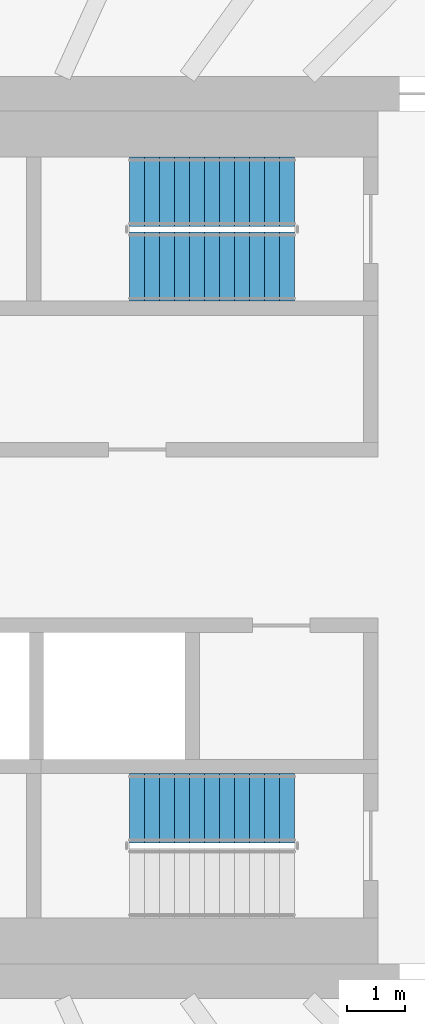
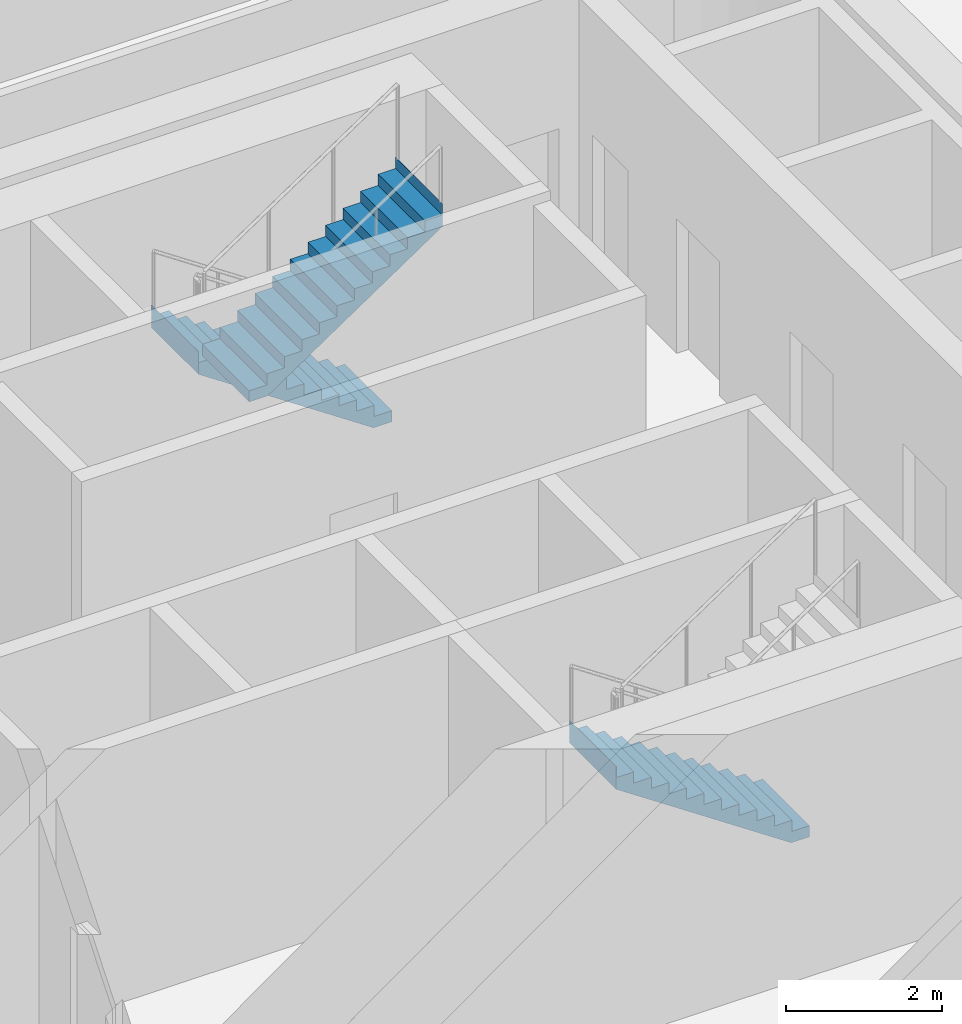
# One storey, part 19 of 25: 3 stair flights, 2 elements without a shape of their own.
"""IFC4 building model written with IfcOpenShell, lengths in metres."""

from ifc_helpers import new_model, si_unit, direction, frame, origin, place, context, subcontext, project, spatial, triangles, material, type_object, element, aggregate, save


model = new_model("IFC4")

# Units and contexts
model_context = context("Model", 3, precision=1e-05, world=origin(), true_north=direction((0.0, 1.0)))
body_context = subcontext(model_context, "Body", "Model", "MODEL_VIEW")
ifc_project = project(units=[si_unit("LENGTHUNIT", "METRE"), si_unit("AREAUNIT", "SQUARE_METRE"), si_unit("VOLUMEUNIT", "CUBIC_METRE"), si_unit("PLANEANGLEUNIT", "RADIAN"), si_unit("MASSUNIT", "GRAM", prefix="KILO")], contexts=[model_context])

# Site, building, storey
site_placement = place(None, origin())
site = spatial("IfcSite", under=ifc_project, at=site_placement, CompositionType="ELEMENT")
building_placement = place(site_placement, origin())
building = spatial("IfcBuilding", under=site, at=building_placement, Name="Sahrelin Media Tower", CompositionType="ELEMENT")
storey_placement = place(building_placement, frame((0.0, 0.0, 135.60009765625)))
storey = spatial("IfcBuildingStorey", under=building, at=storey_placement, Name="L27", CompositionType="ELEMENT", Elevation=135.60009765625)

# Stair, stair flights
ifc_material = material(Name="Concrete C40/50", Category="concrete")
stair_type = type_object("IfcStairType", Name="Exit stair 1200", PredefinedType="HALF_TURN_STAIR", material=ifc_material)
placement = place(storey_placement, origin())
stair_1 = element("IfcStair", 1, at=placement, inside=storey, type_object=stair_type, Name="L27 Exit stair ST3", PredefinedType="HALF_TURN_STAIR")
stair_flight_type = type_object("IfcStairFlightType", Name="Stair flight 1200", PredefinedType="STRAIGHT", material=ifc_material)
stair_flight_1_placement = place(storey_placement, frame((7.675048828125, 6.0, 0.0), z_axis=(0.0, 0.0, 1.0), x_axis=(-1.0, 0.0, 0.0)))
stair_flight_1 = element("IfcStairFlight", 2, at=stair_flight_1_placement, type_object=stair_flight_type, Name="ST3 flight 1", NumberOfRisers=12, NumberOfTreads=11, PredefinedType="STRAIGHT", RiserHeight=0.175, TreadLength=0.26, context=body_context, shape_type="Tessellation", body=[
    triangles([(0.2685546875, 0.60009765625, 0.0), (0.2685546875, 0.300048828125, 0.0), (0.2685546875, 0.0, 0.0), (0.2685546875, -0.300048828125, 0.0), (0.2685546875, -0.60009765625, 0.0), (2.860107421875, 0.60009765625, 1.744384765625), (2.860107421875, 0.300048828125, 1.744384765625), (2.860107421875, 0.0, 1.744384765625), (2.860107421875, -0.300048828125, 1.744384765625), (2.860107421875, -0.60009765625, 1.744384765625), (2.860107421875, 0.60009765625, 2.10009765625), (2.860107421875, 0.300048828125, 2.10009765625), (2.860107421875, 0.0, 2.10009765625), (2.860107421875, -0.300048828125, 2.10009765625), (2.860107421875, -0.60009765625, 2.10009765625), (2.85791015625, 0.60009765625, 2.10009765625), (2.85791015625, 0.300048828125, 2.10009765625), (2.85791015625, 0.0, 2.10009765625), (2.85791015625, -0.300048828125, 2.10009765625), (2.85791015625, -0.60009765625, 2.10009765625), (2.85791015625, 0.60009765625, 1.925048828125), (2.85791015625, 0.300048828125, 1.925048828125), (2.85791015625, 0.0, 1.925048828125), (2.85791015625, -0.300048828125, 1.925048828125), (2.85791015625, -0.60009765625, 1.925048828125), (2.60009765625, 0.60009765625, 1.925048828125), (2.60009765625, 0.300048828125, 1.925048828125), (2.60009765625, 0.0, 1.925048828125), (2.60009765625, -0.300048828125, 1.925048828125), (2.60009765625, -0.60009765625, 1.925048828125), (2.60009765625, 0.60009765625, 1.75), (2.60009765625, 0.300048828125, 1.75), (2.60009765625, 0.0, 1.75), (2.60009765625, -0.300048828125, 1.75), (2.60009765625, -0.60009765625, 1.75), (2.340087890625, 0.60009765625, 1.75), (2.340087890625, 0.300048828125, 1.75), (2.340087890625, 0.0, 1.75), (2.340087890625, -0.300048828125, 1.75), (2.340087890625, -0.60009765625, 1.75), (2.340087890625, 0.60009765625, 1.574951171875), (2.340087890625, 0.300048828125, 1.574951171875), (2.340087890625, 0.0, 1.574951171875), (2.340087890625, -0.300048828125, 1.574951171875), (2.340087890625, -0.60009765625, 1.574951171875), (2.080078125, 0.60009765625, 1.574951171875), (2.080078125, 0.300048828125, 1.574951171875), (2.080078125, 0.0, 1.574951171875), (2.080078125, -0.300048828125, 1.574951171875), (2.080078125, -0.60009765625, 1.574951171875), (2.080078125, 0.60009765625, 1.39990234375), (2.080078125, 0.300048828125, 1.39990234375), (2.080078125, 0.0, 1.39990234375), (2.080078125, -0.300048828125, 1.39990234375), (2.080078125, -0.60009765625, 1.39990234375), (1.820068359375, 0.60009765625, 1.39990234375), (1.820068359375, 0.300048828125, 1.39990234375), (1.820068359375, 0.0, 1.39990234375), (1.820068359375, -0.300048828125, 1.39990234375), (1.820068359375, -0.60009765625, 1.39990234375), (1.820068359375, 0.60009765625, 1.22509765625), (1.820068359375, 0.300048828125, 1.22509765625), (1.820068359375, 0.0, 1.22509765625), (1.820068359375, -0.300048828125, 1.22509765625), (1.820068359375, -0.60009765625, 1.22509765625), (1.56005859375, 0.60009765625, 1.22509765625), (1.56005859375, 0.300048828125, 1.22509765625), (1.56005859375, 0.0, 1.22509765625), (1.56005859375, -0.300048828125, 1.22509765625), (1.56005859375, -0.60009765625, 1.22509765625), (1.56005859375, 0.60009765625, 1.050048828125), (1.56005859375, 0.300048828125, 1.050048828125), (1.56005859375, 0.0, 1.050048828125), (1.56005859375, -0.300048828125, 1.050048828125), (1.56005859375, -0.60009765625, 1.050048828125), (1.300048828125, 0.60009765625, 1.050048828125), (1.300048828125, 0.300048828125, 1.050048828125), (1.300048828125, 0.0, 1.050048828125), (1.300048828125, -0.300048828125, 1.050048828125), (1.300048828125, -0.60009765625, 1.050048828125), (1.300048828125, 0.60009765625, 0.875), (1.300048828125, 0.300048828125, 0.875), (1.300048828125, 0.0, 0.875), (1.300048828125, -0.300048828125, 0.875), (1.300048828125, -0.60009765625, 0.875), (1.0400390625, 0.60009765625, 0.875), (1.0400390625, 0.300048828125, 0.875), (1.0400390625, 0.0, 0.875), (1.0400390625, -0.300048828125, 0.875), (1.0400390625, -0.60009765625, 0.875), (1.0400390625, 0.60009765625, 0.699951171875), (1.0400390625, 0.300048828125, 0.699951171875), (1.0400390625, 0.0, 0.699951171875), (1.0400390625, -0.300048828125, 0.699951171875), (1.0400390625, -0.60009765625, 0.699951171875), (0.780029296875, 0.60009765625, 0.699951171875), (0.780029296875, 0.300048828125, 0.699951171875), (0.780029296875, 0.0, 0.699951171875), (0.780029296875, -0.300048828125, 0.699951171875), (0.780029296875, -0.60009765625, 0.699951171875), (0.780029296875, 0.60009765625, 0.52490234375), (0.780029296875, 0.300048828125, 0.52490234375), (0.780029296875, 0.0, 0.52490234375), (0.780029296875, -0.300048828125, 0.52490234375), (0.780029296875, -0.60009765625, 0.52490234375), (0.52001953125, 0.60009765625, 0.52490234375), (0.52001953125, 0.300048828125, 0.52490234375), (0.52001953125, 0.0, 0.52490234375), (0.52001953125, -0.300048828125, 0.52490234375), (0.52001953125, -0.60009765625, 0.52490234375), (0.52001953125, 0.60009765625, 0.35009765625), (0.52001953125, 0.300048828125, 0.35009765625), (0.52001953125, 0.0, 0.35009765625), (0.52001953125, -0.300048828125, 0.35009765625), (0.52001953125, -0.60009765625, 0.35009765625), (0.260009765625, 0.60009765625, 0.35009765625), (0.260009765625, 0.300048828125, 0.35009765625), (0.260009765625, 0.0, 0.35009765625), (0.260009765625, -0.300048828125, 0.35009765625), (0.260009765625, -0.60009765625, 0.35009765625), (0.260009765625, 0.60009765625, 0.175048828125), (0.260009765625, 0.300048828125, 0.175048828125), (0.260009765625, 0.0, 0.175048828125), (0.260009765625, -0.300048828125, 0.175048828125), (0.260009765625, -0.60009765625, 0.175048828125), (0.0, 0.60009765625, 0.175048828125), (0.0, 0.300048828125, 0.175048828125), (0.0, 0.0, 0.175048828125), (0.0, -0.300048828125, 0.175048828125), (0.0, -0.60009765625, 0.175048828125), (0.0, 0.60009765625, 0.0), (0.0, 0.300048828125, 0.0), (0.0, 0.0, 0.0), (0.0, -0.300048828125, 0.0), (0.0, -0.60009765625, 0.0)], [[1, 6, 7], [1, 7, 2], [2, 7, 8], [2, 8, 3], [3, 8, 9], [3, 9, 4], [4, 9, 10], [4, 10, 5], [6, 11, 12], [6, 12, 7], [7, 12, 13], [7, 13, 8], [8, 13, 14], [8, 14, 9], [9, 14, 15], [9, 15, 10], [11, 16, 17], [11, 17, 12], [12, 17, 18], [12, 18, 13], [13, 18, 19], [13, 19, 14], [14, 19, 20], [14, 20, 15], [16, 21, 22], [16, 22, 17], [17, 22, 23], [17, 23, 18], [18, 23, 24], [18, 24, 19], [19, 24, 25], [19, 25, 20], [21, 26, 27], [21, 27, 22], [22, 27, 28], [22, 28, 23], [23, 28, 29], [23, 29, 24], [24, 29, 30], [24, 30, 25], [26, 31, 32], [26, 32, 27], [27, 32, 33], [27, 33, 28], [28, 33, 34], [28, 34, 29], [29, 34, 35], [29, 35, 30], [31, 36, 37], [31, 37, 32], [32, 37, 38], [32, 38, 33], [33, 38, 39], [33, 39, 34], [34, 39, 40], [34, 40, 35], [36, 41, 42], [36, 42, 37], [37, 42, 43], [37, 43, 38], [38, 43, 44], [38, 44, 39], [39, 44, 45], [39, 45, 40], [41, 46, 47], [41, 47, 42], [42, 47, 48], [42, 48, 43], [43, 48, 49], [43, 49, 44], [44, 49, 50], [44, 50, 45], [46, 51, 52], [46, 52, 47], [47, 52, 53], [47, 53, 48], [48, 53, 54], [48, 54, 49], [49, 54, 55], [49, 55, 50], [51, 56, 57], [51, 57, 52], [52, 57, 58], [52, 58, 53], [53, 58, 59], [53, 59, 54], [54, 59, 60], [54, 60, 55], [56, 61, 62], [56, 62, 57], [57, 62, 63], [57, 63, 58], [58, 63, 64], [58, 64, 59], [59, 64, 65], [59, 65, 60], [61, 66, 67], [61, 67, 62], [62, 67, 68], [62, 68, 63], [63, 68, 69], [63, 69, 64], [64, 69, 70], [64, 70, 65], [66, 71, 72], [66, 72, 67], [67, 72, 73], [67, 73, 68], [68, 73, 74], [68, 74, 69], [69, 74, 75], [69, 75, 70], [71, 76, 77], [71, 77, 72], [72, 77, 78], [72, 78, 73], [73, 78, 79], [73, 79, 74], [74, 79, 80], [74, 80, 75], [76, 81, 82], [76, 82, 77], [77, 82, 83], [77, 83, 78], [78, 83, 84], [78, 84, 79], [79, 84, 85], [79, 85, 80], [81, 86, 87], [81, 87, 82], [82, 87, 88], [82, 88, 83], [83, 88, 89], [83, 89, 84], [84, 89, 90], [84, 90, 85], [86, 91, 92], [86, 92, 87], [87, 92, 93], [87, 93, 88], [88, 93, 94], [88, 94, 89], [89, 94, 95], [89, 95, 90], [91, 96, 97], [91, 97, 92], [92, 97, 98], [92, 98, 93], [93, 98, 99], [93, 99, 94], [94, 99, 100], [94, 100, 95], [96, 101, 102], [96, 102, 97], [97, 102, 103], [97, 103, 98], [98, 103, 104], [98, 104, 99], [99, 104, 105], [99, 105, 100], [101, 106, 107], [101, 107, 102], [102, 107, 108], [102, 108, 103], [103, 108, 109], [103, 109, 104], [104, 109, 110], [104, 110, 105], [106, 111, 112], [106, 112, 107], [107, 112, 113], [107, 113, 108], [108, 113, 114], [108, 114, 109], [109, 114, 115], [109, 115, 110], [111, 116, 117], [111, 117, 112], [112, 117, 118], [112, 118, 113], [113, 118, 119], [113, 119, 114], [114, 119, 120], [114, 120, 115], [116, 121, 122], [116, 122, 117], [117, 122, 123], [117, 123, 118], [118, 123, 124], [118, 124, 119], [119, 124, 125], [119, 125, 120], [121, 126, 127], [121, 127, 122], [122, 127, 128], [122, 128, 123], [123, 128, 129], [123, 129, 124], [124, 129, 130], [124, 130, 125], [126, 131, 132], [126, 132, 127], [127, 132, 133], [127, 133, 128], [128, 133, 134], [128, 134, 129], [129, 134, 135], [129, 135, 130], [131, 1, 2], [131, 2, 132], [132, 2, 3], [132, 3, 133], [133, 3, 4], [133, 4, 134], [134, 4, 5], [134, 5, 135], [125, 130, 135], [121, 131, 126], [125, 115, 120], [121, 116, 111], [115, 105, 110], [111, 106, 101], [105, 95, 100], [101, 96, 91], [95, 85, 90], [91, 86, 81], [85, 75, 80], [81, 76, 71], [75, 65, 70], [71, 66, 61], [65, 55, 60], [61, 56, 51], [55, 45, 50], [51, 46, 41], [45, 35, 40], [41, 36, 31], [35, 25, 30], [31, 26, 21], [25, 15, 20], [21, 16, 11], [135, 5, 125], [131, 121, 1], [95, 105, 5], [91, 1, 101], [5, 10, 75], [1, 71, 6], [10, 35, 45], [6, 41, 31], [25, 10, 15], [21, 11, 6], [115, 125, 5], [111, 1, 121], [75, 85, 5], [71, 1, 81], [35, 10, 25], [31, 21, 6], [105, 115, 5], [101, 1, 111], [45, 55, 10], [41, 6, 51], [85, 95, 5], [81, 1, 91], [65, 10, 55], [61, 51, 6], [10, 65, 75], [6, 71, 61]], closed=True),
])
stair_flight_2_placement = place(storey_placement, frame((4.81494140625, 4.699951171875, 2.099853515625), z_axis=(0.0, 0.0, 1.0), x_axis=(1.0, 0.0, 0.0)))
stair_flight_2 = element("IfcStairFlight", 3, at=stair_flight_2_placement, type_object=stair_flight_type, Name="ST3 flight 2", NumberOfRisers=12, NumberOfTreads=11, PredefinedType="STRAIGHT", RiserHeight=0.175, TreadLength=0.26, context=body_context, shape_type="Tessellation", body=[
    triangles([(0.2685546875, 0.60009765625, 0.0), (0.2685546875, 0.300048828125, 0.0), (0.2685546875, 0.0, 0.0), (0.2685546875, -0.300048828125, 0.0), (0.2685546875, -0.60009765625, 0.0), (2.860107421875, 0.60009765625, 1.744384765625), (2.860107421875, 0.300048828125, 1.744384765625), (2.860107421875, 0.0, 1.744384765625), (2.860107421875, -0.300048828125, 1.744384765625), (2.860107421875, -0.60009765625, 1.744384765625), (2.860107421875, 0.60009765625, 2.10009765625), (2.860107421875, 0.300048828125, 2.10009765625), (2.860107421875, 0.0, 2.10009765625), (2.860107421875, -0.300048828125, 2.10009765625), (2.860107421875, -0.60009765625, 2.10009765625), (2.85791015625, 0.60009765625, 2.10009765625), (2.85791015625, 0.300048828125, 2.10009765625), (2.85791015625, 0.0, 2.10009765625), (2.85791015625, -0.300048828125, 2.10009765625), (2.85791015625, -0.60009765625, 2.10009765625), (2.85791015625, 0.60009765625, 1.925048828125), (2.85791015625, 0.300048828125, 1.925048828125), (2.85791015625, 0.0, 1.925048828125), (2.85791015625, -0.300048828125, 1.925048828125), (2.85791015625, -0.60009765625, 1.925048828125), (2.60009765625, 0.60009765625, 1.925048828125), (2.60009765625, 0.300048828125, 1.925048828125), (2.60009765625, 0.0, 1.925048828125), (2.60009765625, -0.300048828125, 1.925048828125), (2.60009765625, -0.60009765625, 1.925048828125), (2.60009765625, 0.60009765625, 1.75), (2.60009765625, 0.300048828125, 1.75), (2.60009765625, 0.0, 1.75), (2.60009765625, -0.300048828125, 1.75), (2.60009765625, -0.60009765625, 1.75), (2.340087890625, 0.60009765625, 1.75), (2.340087890625, 0.300048828125, 1.75), (2.340087890625, 0.0, 1.75), (2.340087890625, -0.300048828125, 1.75), (2.340087890625, -0.60009765625, 1.75), (2.340087890625, 0.60009765625, 1.574951171875), (2.340087890625, 0.300048828125, 1.574951171875), (2.340087890625, 0.0, 1.574951171875), (2.340087890625, -0.300048828125, 1.574951171875), (2.340087890625, -0.60009765625, 1.574951171875), (2.080078125, 0.60009765625, 1.574951171875), (2.080078125, 0.300048828125, 1.574951171875), (2.080078125, 0.0, 1.574951171875), (2.080078125, -0.300048828125, 1.574951171875), (2.080078125, -0.60009765625, 1.574951171875), (2.080078125, 0.60009765625, 1.39990234375), (2.080078125, 0.300048828125, 1.39990234375), (2.080078125, 0.0, 1.39990234375), (2.080078125, -0.300048828125, 1.39990234375), (2.080078125, -0.60009765625, 1.39990234375), (1.820068359375, 0.60009765625, 1.39990234375), (1.820068359375, 0.300048828125, 1.39990234375), (1.820068359375, 0.0, 1.39990234375), (1.820068359375, -0.300048828125, 1.39990234375), (1.820068359375, -0.60009765625, 1.39990234375), (1.820068359375, 0.60009765625, 1.22509765625), (1.820068359375, 0.300048828125, 1.22509765625), (1.820068359375, 0.0, 1.22509765625), (1.820068359375, -0.300048828125, 1.22509765625), (1.820068359375, -0.60009765625, 1.22509765625), (1.56005859375, 0.60009765625, 1.22509765625), (1.56005859375, 0.300048828125, 1.22509765625), (1.56005859375, 0.0, 1.22509765625), (1.56005859375, -0.300048828125, 1.22509765625), (1.56005859375, -0.60009765625, 1.22509765625), (1.56005859375, 0.60009765625, 1.050048828125), (1.56005859375, 0.300048828125, 1.050048828125), (1.56005859375, 0.0, 1.050048828125), (1.56005859375, -0.300048828125, 1.050048828125), (1.56005859375, -0.60009765625, 1.050048828125), (1.300048828125, 0.60009765625, 1.050048828125), (1.300048828125, 0.300048828125, 1.050048828125), (1.300048828125, 0.0, 1.050048828125), (1.300048828125, -0.300048828125, 1.050048828125), (1.300048828125, -0.60009765625, 1.050048828125), (1.300048828125, 0.60009765625, 0.875), (1.300048828125, 0.300048828125, 0.875), (1.300048828125, 0.0, 0.875), (1.300048828125, -0.300048828125, 0.875), (1.300048828125, -0.60009765625, 0.875), (1.0400390625, 0.60009765625, 0.875), (1.0400390625, 0.300048828125, 0.875), (1.0400390625, 0.0, 0.875), (1.0400390625, -0.300048828125, 0.875), (1.0400390625, -0.60009765625, 0.875), (1.0400390625, 0.60009765625, 0.699951171875), (1.0400390625, 0.300048828125, 0.699951171875), (1.0400390625, 0.0, 0.699951171875), (1.0400390625, -0.300048828125, 0.699951171875), (1.0400390625, -0.60009765625, 0.699951171875), (0.780029296875, 0.60009765625, 0.699951171875), (0.780029296875, 0.300048828125, 0.699951171875), (0.780029296875, 0.0, 0.699951171875), (0.780029296875, -0.300048828125, 0.699951171875), (0.780029296875, -0.60009765625, 0.699951171875), (0.780029296875, 0.60009765625, 0.52490234375), (0.780029296875, 0.300048828125, 0.52490234375), (0.780029296875, 0.0, 0.52490234375), (0.780029296875, -0.300048828125, 0.52490234375), (0.780029296875, -0.60009765625, 0.52490234375), (0.52001953125, 0.60009765625, 0.52490234375), (0.52001953125, 0.300048828125, 0.52490234375), (0.52001953125, 0.0, 0.52490234375), (0.52001953125, -0.300048828125, 0.52490234375), (0.52001953125, -0.60009765625, 0.52490234375), (0.52001953125, 0.60009765625, 0.35009765625), (0.52001953125, 0.300048828125, 0.35009765625), (0.52001953125, 0.0, 0.35009765625), (0.52001953125, -0.300048828125, 0.35009765625), (0.52001953125, -0.60009765625, 0.35009765625), (0.260009765625, 0.60009765625, 0.35009765625), (0.260009765625, 0.300048828125, 0.35009765625), (0.260009765625, 0.0, 0.35009765625), (0.260009765625, -0.300048828125, 0.35009765625), (0.260009765625, -0.60009765625, 0.35009765625), (0.260009765625, 0.60009765625, 0.175048828125), (0.260009765625, 0.300048828125, 0.175048828125), (0.260009765625, 0.0, 0.175048828125), (0.260009765625, -0.300048828125, 0.175048828125), (0.260009765625, -0.60009765625, 0.175048828125), (0.0, 0.60009765625, 0.175048828125), (0.0, 0.300048828125, 0.175048828125), (0.0, 0.0, 0.175048828125), (0.0, -0.300048828125, 0.175048828125), (0.0, -0.60009765625, 0.175048828125), (0.0, 0.60009765625, 0.0), (0.0, 0.300048828125, 0.0), (0.0, 0.0, 0.0), (0.0, -0.300048828125, 0.0), (0.0, -0.60009765625, 0.0)], [[1, 6, 7], [1, 7, 2], [2, 7, 8], [2, 8, 3], [3, 8, 9], [3, 9, 4], [4, 9, 10], [4, 10, 5], [6, 11, 12], [6, 12, 7], [7, 12, 13], [7, 13, 8], [8, 13, 14], [8, 14, 9], [9, 14, 15], [9, 15, 10], [11, 16, 17], [11, 17, 12], [12, 17, 18], [12, 18, 13], [13, 18, 19], [13, 19, 14], [14, 19, 20], [14, 20, 15], [16, 21, 22], [16, 22, 17], [17, 22, 23], [17, 23, 18], [18, 23, 24], [18, 24, 19], [19, 24, 25], [19, 25, 20], [21, 26, 27], [21, 27, 22], [22, 27, 28], [22, 28, 23], [23, 28, 29], [23, 29, 24], [24, 29, 30], [24, 30, 25], [26, 31, 32], [26, 32, 27], [27, 32, 33], [27, 33, 28], [28, 33, 34], [28, 34, 29], [29, 34, 35], [29, 35, 30], [31, 36, 37], [31, 37, 32], [32, 37, 38], [32, 38, 33], [33, 38, 39], [33, 39, 34], [34, 39, 40], [34, 40, 35], [36, 41, 42], [36, 42, 37], [37, 42, 43], [37, 43, 38], [38, 43, 44], [38, 44, 39], [39, 44, 45], [39, 45, 40], [41, 46, 47], [41, 47, 42], [42, 47, 48], [42, 48, 43], [43, 48, 49], [43, 49, 44], [44, 49, 50], [44, 50, 45], [46, 51, 52], [46, 52, 47], [47, 52, 53], [47, 53, 48], [48, 53, 54], [48, 54, 49], [49, 54, 55], [49, 55, 50], [51, 56, 57], [51, 57, 52], [52, 57, 58], [52, 58, 53], [53, 58, 59], [53, 59, 54], [54, 59, 60], [54, 60, 55], [56, 61, 62], [56, 62, 57], [57, 62, 63], [57, 63, 58], [58, 63, 64], [58, 64, 59], [59, 64, 65], [59, 65, 60], [61, 66, 67], [61, 67, 62], [62, 67, 68], [62, 68, 63], [63, 68, 69], [63, 69, 64], [64, 69, 70], [64, 70, 65], [66, 71, 72], [66, 72, 67], [67, 72, 73], [67, 73, 68], [68, 73, 74], [68, 74, 69], [69, 74, 75], [69, 75, 70], [71, 76, 77], [71, 77, 72], [72, 77, 78], [72, 78, 73], [73, 78, 79], [73, 79, 74], [74, 79, 80], [74, 80, 75], [76, 81, 82], [76, 82, 77], [77, 82, 83], [77, 83, 78], [78, 83, 84], [78, 84, 79], [79, 84, 85], [79, 85, 80], [81, 86, 87], [81, 87, 82], [82, 87, 88], [82, 88, 83], [83, 88, 89], [83, 89, 84], [84, 89, 90], [84, 90, 85], [86, 91, 92], [86, 92, 87], [87, 92, 93], [87, 93, 88], [88, 93, 94], [88, 94, 89], [89, 94, 95], [89, 95, 90], [91, 96, 97], [91, 97, 92], [92, 97, 98], [92, 98, 93], [93, 98, 99], [93, 99, 94], [94, 99, 100], [94, 100, 95], [96, 101, 102], [96, 102, 97], [97, 102, 103], [97, 103, 98], [98, 103, 104], [98, 104, 99], [99, 104, 105], [99, 105, 100], [101, 106, 107], [101, 107, 102], [102, 107, 108], [102, 108, 103], [103, 108, 109], [103, 109, 104], [104, 109, 110], [104, 110, 105], [106, 111, 112], [106, 112, 107], [107, 112, 113], [107, 113, 108], [108, 113, 114], [108, 114, 109], [109, 114, 115], [109, 115, 110], [111, 116, 117], [111, 117, 112], [112, 117, 118], [112, 118, 113], [113, 118, 119], [113, 119, 114], [114, 119, 120], [114, 120, 115], [116, 121, 122], [116, 122, 117], [117, 122, 123], [117, 123, 118], [118, 123, 124], [118, 124, 119], [119, 124, 125], [119, 125, 120], [121, 126, 127], [121, 127, 122], [122, 127, 128], [122, 128, 123], [123, 128, 129], [123, 129, 124], [124, 129, 130], [124, 130, 125], [126, 131, 132], [126, 132, 127], [127, 132, 133], [127, 133, 128], [128, 133, 134], [128, 134, 129], [129, 134, 135], [129, 135, 130], [131, 1, 2], [131, 2, 132], [132, 2, 3], [132, 3, 133], [133, 3, 4], [133, 4, 134], [134, 4, 5], [134, 5, 135], [125, 130, 135], [121, 131, 126], [125, 115, 120], [121, 116, 111], [115, 105, 110], [111, 106, 101], [105, 95, 100], [101, 96, 91], [95, 85, 90], [91, 86, 81], [85, 75, 80], [81, 76, 71], [75, 65, 70], [71, 66, 61], [65, 55, 60], [61, 56, 51], [55, 45, 50], [51, 46, 41], [45, 35, 40], [41, 36, 31], [35, 25, 30], [31, 26, 21], [25, 15, 20], [21, 16, 11], [135, 5, 125], [131, 121, 1], [95, 105, 5], [91, 1, 101], [5, 10, 75], [1, 71, 6], [10, 35, 45], [6, 41, 31], [25, 10, 15], [21, 11, 6], [115, 125, 5], [111, 1, 121], [75, 85, 5], [71, 1, 81], [35, 10, 25], [31, 21, 6], [105, 115, 5], [101, 1, 111], [45, 55, 10], [41, 6, 51], [85, 95, 5], [81, 1, 91], [65, 10, 55], [61, 51, 6], [10, 65, 75], [6, 71, 61]], closed=True),
])
aggregate(stair_1, [stair_flight_1, stair_flight_2])

# Stair, stair flight
stair_2 = element("IfcStair", 4, at=placement, inside=storey, type_object=stair_type, Name="L27 Exit stair ST2", PredefinedType="HALF_TURN_STAIR")
stair_flight_3_placement = place(storey_placement, frame((7.675048828125, -4.699951171875, 0.0), z_axis=(0.0, 0.0, 1.0), x_axis=(-1.0, 0.0, 0.0)))
stair_flight_3 = element("IfcStairFlight", 5, at=stair_flight_3_placement, type_object=stair_flight_type, Name="ST2 flight 1", NumberOfRisers=12, NumberOfTreads=11, PredefinedType="STRAIGHT", RiserHeight=0.175, TreadLength=0.26, context=body_context, shape_type="Tessellation", body=[
    triangles([(0.2685546875, 0.60009765625, 0.0), (0.2685546875, 0.300048828125, 0.0), (0.2685546875, 0.0, 0.0), (0.2685546875, -0.300048828125, 0.0), (0.2685546875, -0.60009765625, 0.0), (2.860107421875, 0.60009765625, 1.744384765625), (2.860107421875, 0.300048828125, 1.744384765625), (2.860107421875, 0.0, 1.744384765625), (2.860107421875, -0.300048828125, 1.744384765625), (2.860107421875, -0.60009765625, 1.744384765625), (2.860107421875, 0.60009765625, 2.10009765625), (2.860107421875, 0.300048828125, 2.10009765625), (2.860107421875, 0.0, 2.10009765625), (2.860107421875, -0.300048828125, 2.10009765625), (2.860107421875, -0.60009765625, 2.10009765625), (2.85791015625, 0.60009765625, 2.10009765625), (2.85791015625, 0.300048828125, 2.10009765625), (2.85791015625, 0.0, 2.10009765625), (2.85791015625, -0.300048828125, 2.10009765625), (2.85791015625, -0.60009765625, 2.10009765625), (2.85791015625, 0.60009765625, 1.925048828125), (2.85791015625, 0.300048828125, 1.925048828125), (2.85791015625, 0.0, 1.925048828125), (2.85791015625, -0.300048828125, 1.925048828125), (2.85791015625, -0.60009765625, 1.925048828125), (2.60009765625, 0.60009765625, 1.925048828125), (2.60009765625, 0.300048828125, 1.925048828125), (2.60009765625, 0.0, 1.925048828125), (2.60009765625, -0.300048828125, 1.925048828125), (2.60009765625, -0.60009765625, 1.925048828125), (2.60009765625, 0.60009765625, 1.75), (2.60009765625, 0.300048828125, 1.75), (2.60009765625, 0.0, 1.75), (2.60009765625, -0.300048828125, 1.75), (2.60009765625, -0.60009765625, 1.75), (2.340087890625, 0.60009765625, 1.75), (2.340087890625, 0.300048828125, 1.75), (2.340087890625, 0.0, 1.75), (2.340087890625, -0.300048828125, 1.75), (2.340087890625, -0.60009765625, 1.75), (2.340087890625, 0.60009765625, 1.574951171875), (2.340087890625, 0.300048828125, 1.574951171875), (2.340087890625, 0.0, 1.574951171875), (2.340087890625, -0.300048828125, 1.574951171875), (2.340087890625, -0.60009765625, 1.574951171875), (2.080078125, 0.60009765625, 1.574951171875), (2.080078125, 0.300048828125, 1.574951171875), (2.080078125, 0.0, 1.574951171875), (2.080078125, -0.300048828125, 1.574951171875), (2.080078125, -0.60009765625, 1.574951171875), (2.080078125, 0.60009765625, 1.39990234375), (2.080078125, 0.300048828125, 1.39990234375), (2.080078125, 0.0, 1.39990234375), (2.080078125, -0.300048828125, 1.39990234375), (2.080078125, -0.60009765625, 1.39990234375), (1.820068359375, 0.60009765625, 1.39990234375), (1.820068359375, 0.300048828125, 1.39990234375), (1.820068359375, 0.0, 1.39990234375), (1.820068359375, -0.300048828125, 1.39990234375), (1.820068359375, -0.60009765625, 1.39990234375), (1.820068359375, 0.60009765625, 1.22509765625), (1.820068359375, 0.300048828125, 1.22509765625), (1.820068359375, 0.0, 1.22509765625), (1.820068359375, -0.300048828125, 1.22509765625), (1.820068359375, -0.60009765625, 1.22509765625), (1.56005859375, 0.60009765625, 1.22509765625), (1.56005859375, 0.300048828125, 1.22509765625), (1.56005859375, 0.0, 1.22509765625), (1.56005859375, -0.300048828125, 1.22509765625), (1.56005859375, -0.60009765625, 1.22509765625), (1.56005859375, 0.60009765625, 1.050048828125), (1.56005859375, 0.300048828125, 1.050048828125), (1.56005859375, 0.0, 1.050048828125), (1.56005859375, -0.300048828125, 1.050048828125), (1.56005859375, -0.60009765625, 1.050048828125), (1.300048828125, 0.60009765625, 1.050048828125), (1.300048828125, 0.300048828125, 1.050048828125), (1.300048828125, 0.0, 1.050048828125), (1.300048828125, -0.300048828125, 1.050048828125), (1.300048828125, -0.60009765625, 1.050048828125), (1.300048828125, 0.60009765625, 0.875), (1.300048828125, 0.300048828125, 0.875), (1.300048828125, 0.0, 0.875), (1.300048828125, -0.300048828125, 0.875), (1.300048828125, -0.60009765625, 0.875), (1.0400390625, 0.60009765625, 0.875), (1.0400390625, 0.300048828125, 0.875), (1.0400390625, 0.0, 0.875), (1.0400390625, -0.300048828125, 0.875), (1.0400390625, -0.60009765625, 0.875), (1.0400390625, 0.60009765625, 0.699951171875), (1.0400390625, 0.300048828125, 0.699951171875), (1.0400390625, 0.0, 0.699951171875), (1.0400390625, -0.300048828125, 0.699951171875), (1.0400390625, -0.60009765625, 0.699951171875), (0.780029296875, 0.60009765625, 0.699951171875), (0.780029296875, 0.300048828125, 0.699951171875), (0.780029296875, 0.0, 0.699951171875), (0.780029296875, -0.300048828125, 0.699951171875), (0.780029296875, -0.60009765625, 0.699951171875), (0.780029296875, 0.60009765625, 0.52490234375), (0.780029296875, 0.300048828125, 0.52490234375), (0.780029296875, 0.0, 0.52490234375), (0.780029296875, -0.300048828125, 0.52490234375), (0.780029296875, -0.60009765625, 0.52490234375), (0.52001953125, 0.60009765625, 0.52490234375), (0.52001953125, 0.300048828125, 0.52490234375), (0.52001953125, 0.0, 0.52490234375), (0.52001953125, -0.300048828125, 0.52490234375), (0.52001953125, -0.60009765625, 0.52490234375), (0.52001953125, 0.60009765625, 0.35009765625), (0.52001953125, 0.300048828125, 0.35009765625), (0.52001953125, 0.0, 0.35009765625), (0.52001953125, -0.300048828125, 0.35009765625), (0.52001953125, -0.60009765625, 0.35009765625), (0.260009765625, 0.60009765625, 0.35009765625), (0.260009765625, 0.300048828125, 0.35009765625), (0.260009765625, 0.0, 0.35009765625), (0.260009765625, -0.300048828125, 0.35009765625), (0.260009765625, -0.60009765625, 0.35009765625), (0.260009765625, 0.60009765625, 0.175048828125), (0.260009765625, 0.300048828125, 0.175048828125), (0.260009765625, 0.0, 0.175048828125), (0.260009765625, -0.300048828125, 0.175048828125), (0.260009765625, -0.60009765625, 0.175048828125), (0.0, 0.60009765625, 0.175048828125), (0.0, 0.300048828125, 0.175048828125), (0.0, 0.0, 0.175048828125), (0.0, -0.300048828125, 0.175048828125), (0.0, -0.60009765625, 0.175048828125), (0.0, 0.60009765625, 0.0), (0.0, 0.300048828125, 0.0), (0.0, 0.0, 0.0), (0.0, -0.300048828125, 0.0), (0.0, -0.60009765625, 0.0)], [[1, 6, 7], [1, 7, 2], [2, 7, 8], [2, 8, 3], [3, 8, 9], [3, 9, 4], [4, 9, 10], [4, 10, 5], [6, 11, 12], [6, 12, 7], [7, 12, 13], [7, 13, 8], [8, 13, 14], [8, 14, 9], [9, 14, 15], [9, 15, 10], [11, 16, 17], [11, 17, 12], [12, 17, 18], [12, 18, 13], [13, 18, 19], [13, 19, 14], [14, 19, 20], [14, 20, 15], [16, 21, 22], [16, 22, 17], [17, 22, 23], [17, 23, 18], [18, 23, 24], [18, 24, 19], [19, 24, 25], [19, 25, 20], [21, 26, 27], [21, 27, 22], [22, 27, 28], [22, 28, 23], [23, 28, 29], [23, 29, 24], [24, 29, 30], [24, 30, 25], [26, 31, 32], [26, 32, 27], [27, 32, 33], [27, 33, 28], [28, 33, 34], [28, 34, 29], [29, 34, 35], [29, 35, 30], [31, 36, 37], [31, 37, 32], [32, 37, 38], [32, 38, 33], [33, 38, 39], [33, 39, 34], [34, 39, 40], [34, 40, 35], [36, 41, 42], [36, 42, 37], [37, 42, 43], [37, 43, 38], [38, 43, 44], [38, 44, 39], [39, 44, 45], [39, 45, 40], [41, 46, 47], [41, 47, 42], [42, 47, 48], [42, 48, 43], [43, 48, 49], [43, 49, 44], [44, 49, 50], [44, 50, 45], [46, 51, 52], [46, 52, 47], [47, 52, 53], [47, 53, 48], [48, 53, 54], [48, 54, 49], [49, 54, 55], [49, 55, 50], [51, 56, 57], [51, 57, 52], [52, 57, 58], [52, 58, 53], [53, 58, 59], [53, 59, 54], [54, 59, 60], [54, 60, 55], [56, 61, 62], [56, 62, 57], [57, 62, 63], [57, 63, 58], [58, 63, 64], [58, 64, 59], [59, 64, 65], [59, 65, 60], [61, 66, 67], [61, 67, 62], [62, 67, 68], [62, 68, 63], [63, 68, 69], [63, 69, 64], [64, 69, 70], [64, 70, 65], [66, 71, 72], [66, 72, 67], [67, 72, 73], [67, 73, 68], [68, 73, 74], [68, 74, 69], [69, 74, 75], [69, 75, 70], [71, 76, 77], [71, 77, 72], [72, 77, 78], [72, 78, 73], [73, 78, 79], [73, 79, 74], [74, 79, 80], [74, 80, 75], [76, 81, 82], [76, 82, 77], [77, 82, 83], [77, 83, 78], [78, 83, 84], [78, 84, 79], [79, 84, 85], [79, 85, 80], [81, 86, 87], [81, 87, 82], [82, 87, 88], [82, 88, 83], [83, 88, 89], [83, 89, 84], [84, 89, 90], [84, 90, 85], [86, 91, 92], [86, 92, 87], [87, 92, 93], [87, 93, 88], [88, 93, 94], [88, 94, 89], [89, 94, 95], [89, 95, 90], [91, 96, 97], [91, 97, 92], [92, 97, 98], [92, 98, 93], [93, 98, 99], [93, 99, 94], [94, 99, 100], [94, 100, 95], [96, 101, 102], [96, 102, 97], [97, 102, 103], [97, 103, 98], [98, 103, 104], [98, 104, 99], [99, 104, 105], [99, 105, 100], [101, 106, 107], [101, 107, 102], [102, 107, 108], [102, 108, 103], [103, 108, 109], [103, 109, 104], [104, 109, 110], [104, 110, 105], [106, 111, 112], [106, 112, 107], [107, 112, 113], [107, 113, 108], [108, 113, 114], [108, 114, 109], [109, 114, 115], [109, 115, 110], [111, 116, 117], [111, 117, 112], [112, 117, 118], [112, 118, 113], [113, 118, 119], [113, 119, 114], [114, 119, 120], [114, 120, 115], [116, 121, 122], [116, 122, 117], [117, 122, 123], [117, 123, 118], [118, 123, 124], [118, 124, 119], [119, 124, 125], [119, 125, 120], [121, 126, 127], [121, 127, 122], [122, 127, 128], [122, 128, 123], [123, 128, 129], [123, 129, 124], [124, 129, 130], [124, 130, 125], [126, 131, 132], [126, 132, 127], [127, 132, 133], [127, 133, 128], [128, 133, 134], [128, 134, 129], [129, 134, 135], [129, 135, 130], [131, 1, 2], [131, 2, 132], [132, 2, 3], [132, 3, 133], [133, 3, 4], [133, 4, 134], [134, 4, 5], [134, 5, 135], [125, 130, 135], [121, 131, 126], [125, 115, 120], [121, 116, 111], [115, 105, 110], [111, 106, 101], [105, 95, 100], [101, 96, 91], [95, 85, 90], [91, 86, 81], [85, 75, 80], [81, 76, 71], [75, 65, 70], [71, 66, 61], [65, 55, 60], [61, 56, 51], [55, 45, 50], [51, 46, 41], [45, 35, 40], [41, 36, 31], [35, 25, 30], [31, 26, 21], [25, 15, 20], [21, 16, 11], [135, 5, 125], [131, 121, 1], [95, 105, 5], [91, 1, 101], [5, 10, 75], [1, 71, 6], [10, 35, 45], [6, 41, 31], [25, 10, 15], [21, 11, 6], [115, 125, 5], [111, 1, 121], [75, 85, 5], [71, 1, 81], [35, 10, 25], [31, 21, 6], [105, 115, 5], [101, 1, 111], [45, 55, 10], [41, 6, 51], [85, 95, 5], [81, 1, 91], [65, 10, 55], [61, 51, 6], [10, 65, 75], [6, 71, 61]], closed=True),
])
aggregate(stair_2, [stair_flight_3])

save(model, "model.ifc")
